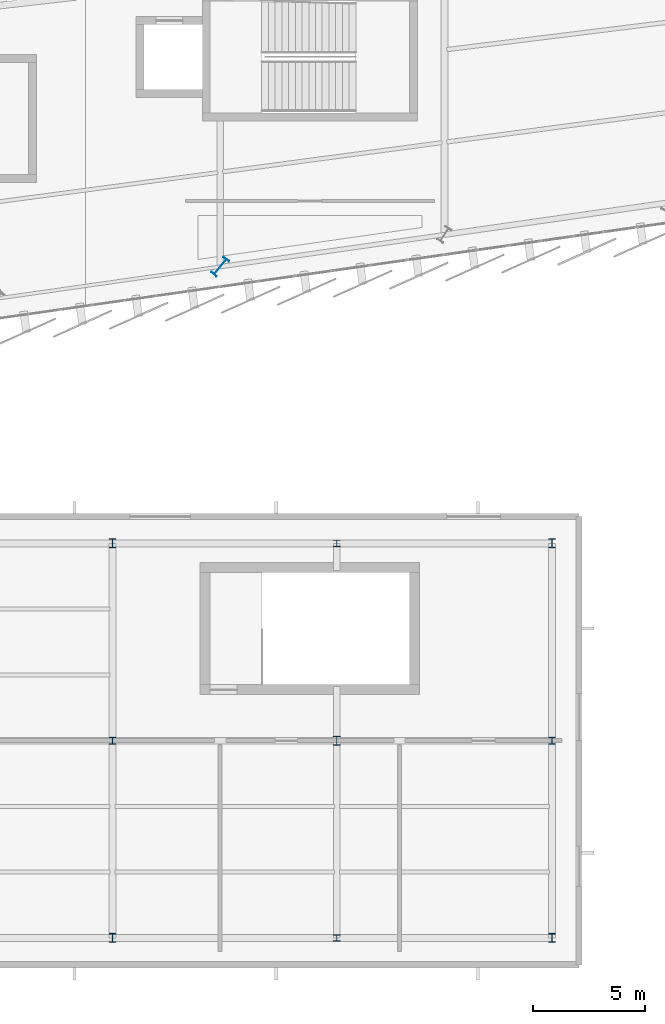
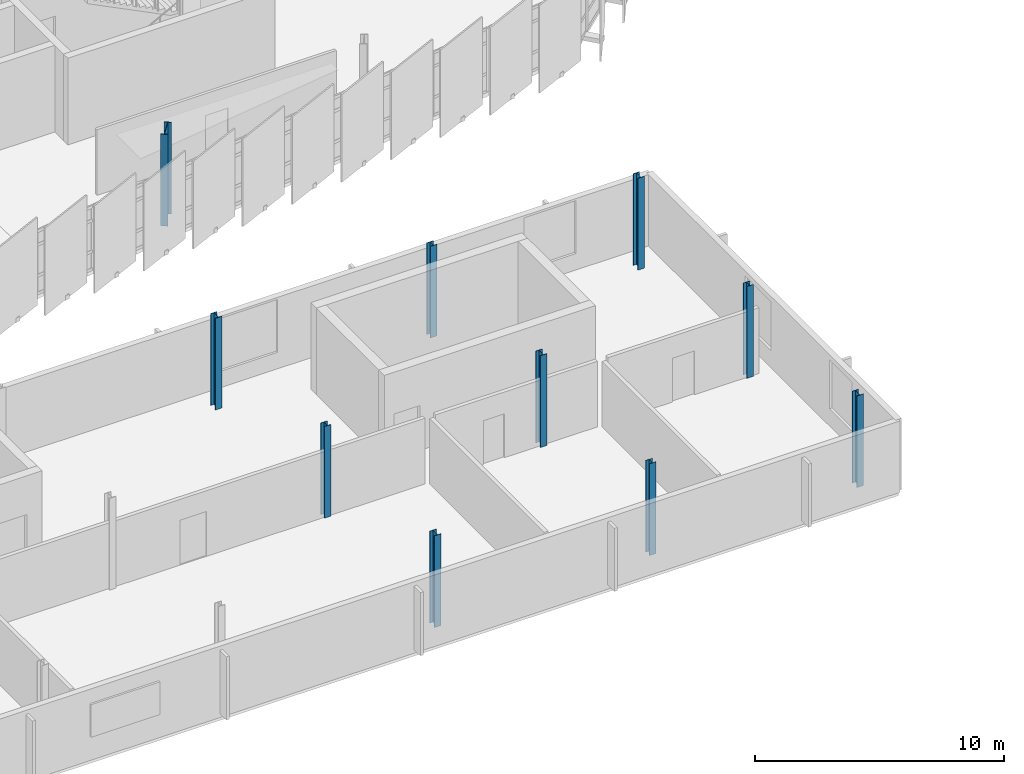
# One storey, part 17 of 120: 10 columns.
"""IFC4 building model written with IfcOpenShell, lengths in metres."""

from ifc_helpers import new_model, si_unit, direction, frame, origin, origin_2d, place, context, subcontext, project, spatial, i_section, extrude, material, material_profile, profile_set, type_object, element, save


model = new_model("IFC4")

# Units and contexts
model_context = context("Model", 3, precision=1e-05, world=origin(), true_north=direction((0.0, 1.0)))
body_context = subcontext(model_context, "Body", "Model", "MODEL_VIEW")
ifc_project = project(units=[si_unit("LENGTHUNIT", "METRE"), si_unit("AREAUNIT", "SQUARE_METRE"), si_unit("VOLUMEUNIT", "CUBIC_METRE"), si_unit("PLANEANGLEUNIT", "RADIAN"), si_unit("MASSUNIT", "GRAM", prefix="KILO")], contexts=[model_context])

# Site, building, storey
site_placement = place(None, origin())
site = spatial("IfcSite", under=ifc_project, at=site_placement, CompositionType="ELEMENT")
building_placement = place(site_placement, origin())
building = spatial("IfcBuilding", under=site, at=building_placement, Name="Sohan Crest Arena", CompositionType="ELEMENT")
storey_placement = place(building_placement, frame((0.0, 0.0, 13.5)))
storey = spatial("IfcBuildingStorey", under=building, at=storey_placement, Name="L03", CompositionType="ELEMENT", Elevation=13.5)

# Columns
ifc_material = material(Name="Steel S355", Category="steel")
ifc_material_profile_1 = material_profile(ifc_material, i_section(OverallWidth=0.300048828125, OverallDepth=0.300048828125, WebThickness=0.010986328125, FlangeThickness=0.01904296875, at=origin_2d()), Name="HEB 300")
ifc_profile_set_1 = profile_set([ifc_material_profile_1], Name="Steel S355")
column_type_1 = type_object("IfcColumnType", Name="STR-COL-C17", PredefinedType="COLUMN", material=ifc_profile_set_1)
for number, where, z_axis, x_axis, name in (
    (1, (143.199951171875, 16.0, 0.0), (0.0, 0.0, 1.0), (1.0, 0.0, 0.0), "Structural column COL-V5C-08-2-L03"),
    (2, (153.199951171875, 7.199951171875, 0.0), (0.0, 0.0, 1.0), (1.0, 0.0, 0.0), "Structural column COL-V5C-09-1-L03"),
    (3, (153.199951171875, 24.800048828125, 0.0), (0.0, 0.0, 1.0), (1.0, 0.0, 0.0), "Structural column COL-V5C-09-3-L03"),
    (4, (162.800048828125, 16.0, 0.0), (0.0, 0.0, 1.0), (1.0, 0.0, 0.0), "Structural column COL-V5C-10-2-L03"),
):
    element("IfcColumn", number, at=place(storey_placement, frame(where, z_axis=z_axis, x_axis=x_axis)), inside=storey, type_object=column_type_1, Name=name, PredefinedType="COLUMN", context=body_context, shape_type="SweptSolid", body=[
        extrude(i_section(OverallWidth=0.300048828125, OverallDepth=0.300048828125, WebThickness=0.010986328125, FlangeThickness=0.01904296875, at=origin_2d()), origin(), (0.0, 0.0, 1.0), 4.5),
    ])
ifc_material_profile_2 = material_profile(ifc_material, i_section(OverallWidth=0.300048828125, OverallDepth=0.39990234375, WebThickness=0.013427734375, FlangeThickness=0.02392578125, at=origin_2d()), Name="HEB 400")
ifc_profile_set_2 = profile_set([ifc_material_profile_2], Name="Steel S355")
column_type_2 = type_object("IfcColumnType", Name="STR-COL-C18", PredefinedType="COLUMN", material=ifc_profile_set_2)
for number, where, z_axis, x_axis, name in (
    (5, (143.199951171875, 7.199951171875, 0.0), (0.0, 0.0, 1.0), (1.0, 0.0, 0.0), "Structural column COL-V5C-08-1-L03"),
    (6, (143.199951171875, 24.800048828125, 0.0), (0.0, 0.0, 1.0), (1.0, 0.0, 0.0), "Structural column COL-V5C-08-3-L03"),
    (7, (153.199951171875, 16.0, 0.0), (0.0, 0.0, 1.0), (1.0, 0.0, 0.0), "Structural column COL-V5C-09-2-L03"),
    (8, (162.800048828125, 7.199951171875, 0.0), (0.0, 0.0, 1.0), (1.0, 0.0, 0.0), "Structural column COL-V5C-10-1-L03"),
    (9, (162.800048828125, 24.800048828125, 0.0), (0.0, 0.0, 1.0), (1.0, 0.0, 0.0), "Structural column COL-V5C-10-3-L03"),
):
    element("IfcColumn", number, at=place(storey_placement, frame(where, z_axis=z_axis, x_axis=x_axis)), inside=storey, type_object=column_type_2, Name=name, PredefinedType="COLUMN", context=body_context, shape_type="SweptSolid", body=[
        extrude(i_section(OverallWidth=0.300048828125, OverallDepth=0.39990234375, WebThickness=0.013427734375, FlangeThickness=0.02392578125, at=origin_2d()), origin(), (0.0, 0.0, 1.0), 4.5),
    ])
ifc_material_profile_3 = material_profile(ifc_material, i_section(OverallWidth=0.300048828125, OverallDepth=0.89990234375, WebThickness=0.0185546875, FlangeThickness=0.034912109375, at=origin_2d()), Name="HEB 900")
ifc_profile_set_3 = profile_set([ifc_material_profile_3], Name="Steel S355")
column_type_3 = type_object("IfcColumnType", Name="STR-COL-C23", PredefinedType="COLUMN", material=ifc_profile_set_3)
column_placement = place(storey_placement, frame((148.0, 37.14306640625, 0.0), z_axis=(0.0, 0.0, 1.0), x_axis=(-0.773840209727, 0.633380872628, 0.0)))
element("IfcColumn", 10, at=column_placement, inside=storey, type_object=column_type_3, Name="Structural column COL-V2O-18-L03", PredefinedType="COLUMN", context=body_context, shape_type="SweptSolid", body=[
    extrude(i_section(OverallWidth=0.300048828125, OverallDepth=0.89990234375, WebThickness=0.0185546875, FlangeThickness=0.034912109375, at=origin_2d()), origin(), (0.0, 0.0, 1.0), 4.5),
])

save(model, "model.ifc")
